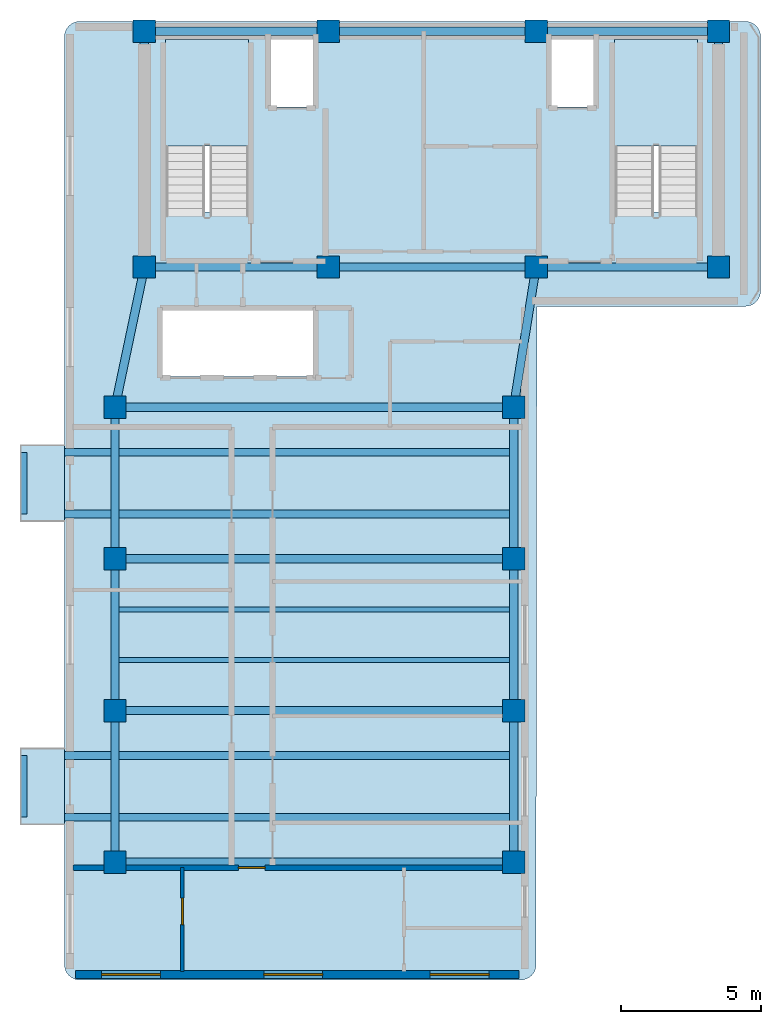
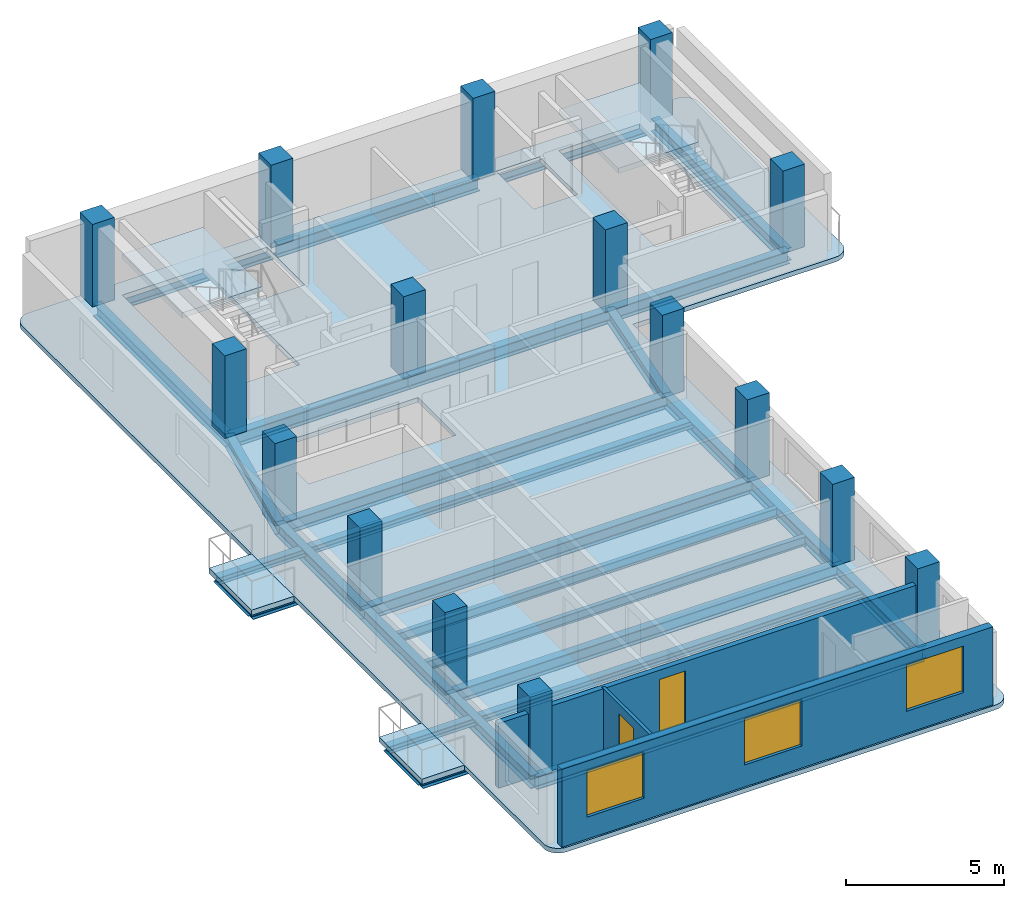
# One storey, part 1 of 6: 28 beams, 16 columns, 5 slabs, 3 walls, 3 windows, 2 doors, 5 openings, 2 elements without a shape of their own.
"""IFC4 building model written with IfcOpenShell, lengths in metres."""

from ifc_helpers import new_model, si_unit, direction, frame, frame_2d, origin, origin_2d, place, context, subcontext, project, spatial, polyline, rectangle, i_section, outline, extrude, material, layer, layer_set, material_profile, profile_set, type_object, element, fill, aggregate, save


model = new_model("IFC4")

# Units and contexts
model_context = context("Model", 3, precision=1e-05, world=origin(), true_north=direction((0.0, 1.0)))
body_context = subcontext(model_context, "Body", "Model", "MODEL_VIEW")
ifc_project = project(units=[si_unit("LENGTHUNIT", "METRE"), si_unit("AREAUNIT", "SQUARE_METRE"), si_unit("VOLUMEUNIT", "CUBIC_METRE"), si_unit("PLANEANGLEUNIT", "RADIAN"), si_unit("MASSUNIT", "GRAM", prefix="KILO")], contexts=[model_context])

# Site, building, storey
site_placement = place(None, origin())
site = spatial("IfcSite", under=ifc_project, at=site_placement, CompositionType="ELEMENT")
building_placement = place(site_placement, origin())
building = spatial("IfcBuilding", under=site, at=building_placement, Name="Kuzgunbayir Cultural Tower", CompositionType="ELEMENT")
storey_placement = place(building_placement, frame((0.0, 0.0, 221.60009765625)))
storey = spatial("IfcBuildingStorey", under=building, at=storey_placement, Name="L65", CompositionType="ELEMENT", Elevation=221.60009765625)

# Columns
ifc_material_1 = material(Name="Concrete C50/60", Category="concrete")
ifc_material_profile_1 = material_profile(ifc_material_1, rectangle(XDim=0.800048828125, YDim=0.800048828125, at=origin_2d()), Name="RC 800x800")
ifc_profile_set_1 = profile_set([ifc_material_profile_1], Name="Concrete C50/60")
column_type_1 = type_object("IfcColumnType", Name="COL-CORE-800", PredefinedType="COLUMN", material=ifc_profile_set_1)
for number, where, z_axis, x_axis, name in (
    (1, (6.449951171875, 33.800048828125, 0.0), (0.0, 0.0, 1.0), (1.0, 0.0, 0.0), "L65 T1 Core Boundary Column CC1-1"),
    (2, (13.0, 33.800048828125, 0.0), (0.0, 0.0, 1.0), (1.0, 0.0, 0.0), "L65 T1 Core Boundary Column CC1-2"),
    (3, (20.39990234375, 33.800048828125, 0.0), (0.0, 0.0, 1.0), (1.0, 0.0, 0.0), "L65 T1 Core Boundary Column CC1-3"),
    (4, (26.89990234375, 33.800048828125, 0.0), (0.0, 0.0, 1.0), (1.0, 0.0, 0.0), "L65 T1 Core Boundary Column CC1-4"),
    (5, (6.449951171875, 42.199951171875, 0.0), (0.0, 0.0, 1.0), (1.0, 0.0, 0.0), "L65 T1 Core Boundary Column CC1-5"),
    (6, (13.0, 42.199951171875, 0.0), (0.0, 0.0, 1.0), (1.0, 0.0, 0.0), "L65 T1 Core Boundary Column CC1-6"),
    (7, (20.39990234375, 42.199951171875, 0.0), (0.0, 0.0, 1.0), (1.0, 0.0, 0.0), "L65 T1 Core Boundary Column CC1-7"),
    (8, (26.89990234375, 42.199951171875, 0.0), (0.0, 0.0, 1.0), (1.0, 0.0, 0.0), "L65 T1 Core Boundary Column CC1-8"),
):
    element("IfcColumn", number, at=place(storey_placement, frame(where, z_axis=z_axis, x_axis=x_axis)), inside=storey, type_object=column_type_1, Name=name, PredefinedType="COLUMN", context=body_context, shape_type="SweptSolid", body=[
        extrude(rectangle(XDim=0.800048828125, YDim=0.800048828125, at=origin_2d()), origin(), (0.0, 0.0, 1.0), 3.199951171875),
    ])
ifc_material_profile_2 = material_profile(ifc_material_1, rectangle(XDim=0.800048828125, YDim=0.800048828125, at=origin_2d()), Name="RC 800x800")
ifc_profile_set_2 = profile_set([ifc_material_profile_2], Name="Concrete C50/60")
column_type_2 = type_object("IfcColumnType", Name="COL-T1-800", PredefinedType="COLUMN", material=ifc_profile_set_2)
for number, where, z_axis, x_axis, name in (
    (9, (5.39990234375, 12.60009765625, 0.0), (0.0, 0.0, 1.0), (1.0, 0.0, 0.0), "L65 Tower 1 Wing A Column T1A-W-1"),
    (10, (19.60009765625, 12.60009765625, 0.0), (0.0, 0.0, 1.0), (1.0, 0.0, 0.0), "L65 Tower 1 Wing A Column T1A-E-1"),
    (11, (5.39990234375, 18.0, 0.0), (0.0, 0.0, 1.0), (1.0, 0.0, 0.0), "L65 Tower 1 Wing A Column T1A-W-2"),
    (12, (19.60009765625, 18.0, 0.0), (0.0, 0.0, 1.0), (1.0, 0.0, 0.0), "L65 Tower 1 Wing A Column T1A-E-2"),
    (13, (5.39990234375, 23.39990234375, 0.0), (0.0, 0.0, 1.0), (1.0, 0.0, 0.0), "L65 Tower 1 Wing A Column T1A-W-3"),
    (14, (19.60009765625, 23.39990234375, 0.0), (0.0, 0.0, 1.0), (1.0, 0.0, 0.0), "L65 Tower 1 Wing A Column T1A-E-3"),
    (15, (5.39990234375, 28.800048828125, 0.0), (0.0, 0.0, 1.0), (1.0, 0.0, 0.0), "L65 Tower 1 Wing A Column T1A-W-4"),
    (16, (19.60009765625, 28.800048828125, 0.0), (0.0, 0.0, 1.0), (1.0, 0.0, 0.0), "L65 Tower 1 Wing A Column T1A-E-4"),
):
    element("IfcColumn", number, at=place(storey_placement, frame(where, z_axis=z_axis, x_axis=x_axis)), inside=storey, type_object=column_type_2, Name=name, PredefinedType="COLUMN", context=body_context, shape_type="SweptSolid", body=[
        extrude(rectangle(XDim=0.800048828125, YDim=0.800048828125, at=origin_2d()), origin(), (0.0, 0.0, 1.0), 3.199951171875),
    ])

# Beams
ifc_material_2 = material(Name="Steel S355J2", Category="steel")
ifc_material_profile_3 = material_profile(ifc_material_2, i_section(OverallWidth=0.280029296875, OverallDepth=0.280029296875, WebThickness=0.010498046875, FlangeThickness=0.01806640625, FilletRadius=0.02392578125, at=origin_2d()), Name="HEB 280")
ifc_profile_set_3 = profile_set([ifc_material_profile_3], Name="Steel S355J2")
beam_type_1 = type_object("IfcBeamType", Name="BM-BAL-HEB280", PredefinedType="BEAM", material=ifc_profile_set_3)
for number, where, z_axis, x_axis, name in (
    (17, (2.159912109375, 14.199951171875, -0.340087890625), (1.0, 0.0, 0.0), (0.0, 1.0, 0.0), "L65 Balcony Outrigger Beam BAL-L65-WA1.1"),
    (18, (2.159912109375, 16.39990234375, -0.340087890625), (1.0, 0.0, 0.0), (0.0, 1.0, 0.0), "L65 Balcony Outrigger Beam BAL-L65-WA1.2"),
    (19, (2.159912109375, 25.0, -0.340087890625), (1.0, 0.0, 0.0), (0.0, 1.0, 0.0), "L65 Balcony Outrigger Beam BAL-L65-WA3.1"),
    (20, (2.159912109375, 27.199951171875, -0.340087890625), (1.0, 0.0, 0.0), (0.0, 1.0, 0.0), "L65 Balcony Outrigger Beam BAL-L65-WA3.2"),
):
    element("IfcBeam", number, at=place(storey_placement, frame(where, z_axis=z_axis, x_axis=x_axis)), inside=storey, type_object=beam_type_1, Name=name, PredefinedType="BEAM", context=body_context, shape_type="SweptSolid", body=[
        extrude(i_section(OverallWidth=0.280029296875, OverallDepth=0.280029296875, WebThickness=0.010498046875, FlangeThickness=0.01806640625, FilletRadius=0.02392578125, at=origin_2d()), origin(), (0.0, 0.0, 1.0), 17.440185546875),
    ])
ifc_material_profile_4 = material_profile(ifc_material_2, i_section(OverallWidth=0.199951171875, OverallDepth=0.199951171875, WebThickness=0.009033203125, FlangeThickness=0.014892578125, FilletRadius=0.01806640625, at=origin_2d()), Name="HEB 200")
ifc_profile_set_4 = profile_set([ifc_material_profile_4], Name="Steel S355J2")
beam_type_2 = type_object("IfcBeamType", Name="BM-CAN-HEB200", PredefinedType="BEAM", material=ifc_profile_set_4)
for number, where, z_axis, x_axis, name in (
    (21, (2.159912109375, 14.199951171875, -0.300048828125), (0.0, 1.0, 0.0), (-1.0, 0.0, 0.0), "L65 Balcony Edge Header BAL-L65-WA1"),
    (22, (2.159912109375, 25.0, -0.300048828125), (0.0, 1.0, 0.0), (-1.0, 0.0, 0.0), "L65 Balcony Edge Header BAL-L65-WA3"),
):
    element("IfcBeam", number, at=place(storey_placement, frame(where, z_axis=z_axis, x_axis=x_axis)), inside=storey, type_object=beam_type_2, Name=name, PredefinedType="BEAM", context=body_context, shape_type="SweptSolid", body=[
        extrude(i_section(OverallWidth=0.199951171875, OverallDepth=0.199951171875, WebThickness=0.009033203125, FlangeThickness=0.014892578125, FilletRadius=0.01806640625, at=origin_2d()), origin(), (0.0, 0.0, 1.0), 2.199951171875),
    ])
ifc_material_profile_5 = material_profile(ifc_material_2, i_section(OverallWidth=0.300048828125, OverallDepth=0.5, WebThickness=0.014404296875, FlangeThickness=0.028076171875, FilletRadius=0.027099609375, at=origin_2d()), Name="HEB 500")
ifc_profile_set_5 = profile_set([ifc_material_profile_5], Name="Steel S355J2")
beam_type_3 = type_object("IfcBeamType", Name="BM-EXT-HEB500", PredefinedType="BEAM", material=ifc_profile_set_5)
for number, where, z_axis, x_axis, name in (
    (23, (5.39990234375, 12.60009765625, -0.43017578125), (0.0, 1.0, 0.0), (-1.0, 0.0, 0.0), "L65 Wing A West Girder 1"),
    (24, (19.60009765625, 12.60009765625, -0.43017578125), (0.0, 1.0, 0.0), (-1.0, 0.0, 0.0), "L65 Wing A East Girder 1"),
    (25, (5.39990234375, 18.0, -0.43017578125), (0.0, 1.0, 0.0), (-1.0, 0.0, 0.0), "L65 Wing A West Girder 2"),
    (26, (19.60009765625, 18.0, -0.43017578125), (0.0, 1.0, 0.0), (-1.0, 0.0, 0.0), "L65 Wing A East Girder 2"),
):
    element("IfcBeam", number, at=place(storey_placement, frame(where, z_axis=z_axis, x_axis=x_axis)), inside=storey, type_object=beam_type_3, Name=name, PredefinedType="BEAM", context=body_context, shape_type="SweptSolid", body=[
        extrude(i_section(OverallWidth=0.300048828125, OverallDepth=0.5, WebThickness=0.014404296875, FlangeThickness=0.028076171875, FilletRadius=0.027099609375, at=origin_2d()), origin(), (0.0, 0.0, 1.0), 5.39990234375),
    ])
for number, where, z_axis, x_axis, name in (
    (27, (5.39990234375, 23.39990234375, -0.43017578125), (0.0, 1.0, 0.0), (-1.0, 0.0, 0.0), "L65 Wing A West Girder 3"),
    (28, (19.60009765625, 23.39990234375, -0.43017578125), (0.0, 1.0, 0.0), (-1.0, 0.0, 0.0), "L65 Wing A East Girder 3"),
):
    element("IfcBeam", number, at=place(storey_placement, frame(where, z_axis=z_axis, x_axis=x_axis)), inside=storey, type_object=beam_type_3, Name=name, PredefinedType="BEAM", context=body_context, shape_type="SweptSolid", body=[
        extrude(i_section(OverallWidth=0.300048828125, OverallDepth=0.5, WebThickness=0.014404296875, FlangeThickness=0.028076171875, FilletRadius=0.027099609375, at=origin_2d()), origin(), (0.0, 0.0, 1.0), 5.400146484375),
    ])
ifc_material_profile_6 = material_profile(ifc_material_2, i_section(OverallWidth=0.300048828125, OverallDepth=0.5, WebThickness=0.014404296875, FlangeThickness=0.028076171875, FilletRadius=0.027099609375, at=origin_2d()), Name="HEB 500")
ifc_profile_set_6 = profile_set([ifc_material_profile_6], Name="Steel S355J2")
beam_type_4 = type_object("IfcBeamType", Name="BM-GIR-HEB500", PredefinedType="BEAM", material=ifc_profile_set_6)
beam_1_placement = place(storey_placement, frame((6.449951171875, 33.800048828125, -0.43017578125), z_axis=(1.0, 0.0, 0.0), x_axis=(0.0, 1.0, 0.0)))
element("IfcBeam", 29, at=beam_1_placement, inside=storey, type_object=beam_type_4, Name="L65 Core South Girder 1", PredefinedType="BEAM", context=body_context, shape_type="SweptSolid", body=[
    extrude(i_section(OverallWidth=0.300048828125, OverallDepth=0.5, WebThickness=0.014404296875, FlangeThickness=0.028076171875, FilletRadius=0.027099609375, at=origin_2d()), origin(), (0.0, 0.0, 1.0), 6.550048828125),
])
beam_2_placement = place(storey_placement, frame((13.0, 33.800048828125, -0.43017578125), z_axis=(1.0, 0.0, 0.0), x_axis=(0.0, 1.0, 0.0)))
element("IfcBeam", 30, at=beam_2_placement, inside=storey, type_object=beam_type_4, Name="L65 Core South Girder 2", PredefinedType="BEAM", context=body_context, shape_type="SweptSolid", body=[
    extrude(i_section(OverallWidth=0.300048828125, OverallDepth=0.5, WebThickness=0.014404296875, FlangeThickness=0.028076171875, FilletRadius=0.027099609375, at=origin_2d()), origin(), (0.0, 0.0, 1.0), 7.39990234375),
])
beam_3_placement = place(storey_placement, frame((20.39990234375, 33.800048828125, -0.43017578125), z_axis=(1.0, 0.0, 0.0), x_axis=(0.0, 1.0, 0.0)))
element("IfcBeam", 31, at=beam_3_placement, inside=storey, type_object=beam_type_4, Name="L65 Core South Girder 3", PredefinedType="BEAM", context=body_context, shape_type="SweptSolid", body=[
    extrude(i_section(OverallWidth=0.300048828125, OverallDepth=0.5, WebThickness=0.014404296875, FlangeThickness=0.028076171875, FilletRadius=0.027099609375, at=origin_2d()), origin(), (0.0, 0.0, 1.0), 6.5),
])
beam_4_placement = place(storey_placement, frame((6.449951171875, 42.199951171875, -0.43017578125), z_axis=(1.0, 0.0, 0.0), x_axis=(0.0, 1.0, 0.0)))
element("IfcBeam", 32, at=beam_4_placement, inside=storey, type_object=beam_type_4, Name="L65 Core North Girder 1", PredefinedType="BEAM", context=body_context, shape_type="SweptSolid", body=[
    extrude(i_section(OverallWidth=0.300048828125, OverallDepth=0.5, WebThickness=0.014404296875, FlangeThickness=0.028076171875, FilletRadius=0.027099609375, at=origin_2d()), origin(), (0.0, 0.0, 1.0), 6.550048828125),
])
beam_5_placement = place(storey_placement, frame((13.0, 42.199951171875, -0.43017578125), z_axis=(1.0, 0.0, 0.0), x_axis=(0.0, 1.0, 0.0)))
element("IfcBeam", 33, at=beam_5_placement, inside=storey, type_object=beam_type_4, Name="L65 Core North Girder 2", PredefinedType="BEAM", context=body_context, shape_type="SweptSolid", body=[
    extrude(i_section(OverallWidth=0.300048828125, OverallDepth=0.5, WebThickness=0.014404296875, FlangeThickness=0.028076171875, FilletRadius=0.027099609375, at=origin_2d()), origin(), (0.0, 0.0, 1.0), 7.39990234375),
])
beam_6_placement = place(storey_placement, frame((20.39990234375, 42.199951171875, -0.43017578125), z_axis=(1.0, 0.0, 0.0), x_axis=(0.0, 1.0, 0.0)))
element("IfcBeam", 34, at=beam_6_placement, inside=storey, type_object=beam_type_4, Name="L65 Core North Girder 3", PredefinedType="BEAM", context=body_context, shape_type="SweptSolid", body=[
    extrude(i_section(OverallWidth=0.300048828125, OverallDepth=0.5, WebThickness=0.014404296875, FlangeThickness=0.028076171875, FilletRadius=0.027099609375, at=origin_2d()), origin(), (0.0, 0.0, 1.0), 6.5),
])
for number, where, z_axis, x_axis, name in (
    (35, (6.449951171875, 33.800048828125, -0.43017578125), (0.0, 1.0, 0.0), (-1.0, 0.0, 0.0), "L65 Core West Edge Girder"),
    (36, (26.89990234375, 33.800048828125, -0.43017578125), (0.0, 1.0, 0.0), (-1.0, 0.0, 0.0), "L65 Core East Edge Girder"),
):
    element("IfcBeam", number, at=place(storey_placement, frame(where, z_axis=z_axis, x_axis=x_axis)), inside=storey, type_object=beam_type_4, Name=name, PredefinedType="BEAM", context=body_context, shape_type="SweptSolid", body=[
        extrude(i_section(OverallWidth=0.300048828125, OverallDepth=0.5, WebThickness=0.014404296875, FlangeThickness=0.028076171875, FilletRadius=0.027099609375, at=origin_2d()), origin(), (0.0, 0.0, 1.0), 8.39990234375),
    ])
for number, where, z_axis, x_axis, name in (
    (37, (5.39990234375, 12.60009765625, -0.43017578125), (1.0, 0.0, 0.0), (0.0, 1.0, 0.0), "L65 Wing A Transverse Girder 1"),
    (38, (5.39990234375, 18.0, -0.43017578125), (1.0, 0.0, 0.0), (0.0, 1.0, 0.0), "L65 Wing A Transverse Girder 2"),
    (39, (5.39990234375, 23.39990234375, -0.43017578125), (1.0, 0.0, 0.0), (0.0, 1.0, 0.0), "L65 Wing A Transverse Girder 3"),
    (40, (5.39990234375, 28.800048828125, -0.43017578125), (1.0, 0.0, 0.0), (0.0, 1.0, 0.0), "L65 Wing A Transverse Girder 4"),
):
    element("IfcBeam", number, at=place(storey_placement, frame(where, z_axis=z_axis, x_axis=x_axis)), inside=storey, type_object=beam_type_4, Name=name, PredefinedType="BEAM", context=body_context, shape_type="SweptSolid", body=[
        extrude(i_section(OverallWidth=0.300048828125, OverallDepth=0.5, WebThickness=0.014404296875, FlangeThickness=0.028076171875, FilletRadius=0.027099609375, at=origin_2d()), origin(), (0.0, 0.0, 1.0), 14.2001953125),
    ])
beam_7_placement = place(storey_placement, frame((5.39990234375, 28.800048828125, -0.43017578125), z_axis=(0.205526387753, 0.978651574329, 0.0), x_axis=(-0.978651574329, 0.205526387753, 0.0)))
element("IfcBeam", 41, at=beam_7_placement, inside=storey, type_object=beam_type_4, Name="L65 Wing A West Core Floor Girder", PredefinedType="BEAM", context=body_context, shape_type="SweptSolid", body=[
    extrude(i_section(OverallWidth=0.300048828125, OverallDepth=0.5, WebThickness=0.014404296875, FlangeThickness=0.028076171875, FilletRadius=0.027099609375, at=origin_2d()), origin(), (0.0, 0.0, 1.0), 5.109130859375),
])
beam_8_placement = place(storey_placement, frame((19.60009765625, 28.800048828125, -0.43017578125), z_axis=(0.157952891656, 0.987446648694, 0.0), x_axis=(-0.987446648694, 0.157952891656, 0.0)))
element("IfcBeam", 42, at=beam_8_placement, inside=storey, type_object=beam_type_4, Name="L65 Wing A East Core Floor Girder", PredefinedType="BEAM", context=body_context, shape_type="SweptSolid", body=[
    extrude(i_section(OverallWidth=0.300048828125, OverallDepth=0.5, WebThickness=0.014404296875, FlangeThickness=0.028076171875, FilletRadius=0.027099609375, at=origin_2d()), origin(), (0.0, 0.0, 1.0), 5.0634765625),
])
ifc_material_profile_7 = material_profile(ifc_material_2, i_section(OverallWidth=0.169921875, OverallDepth=0.360107421875, WebThickness=0.008056640625, FlangeThickness=0.0126953125, FilletRadius=0.01806640625, at=origin_2d()), Name="IPE 360")
ifc_profile_set_7 = profile_set([ifc_material_profile_7], Name="Steel S355J2")
beam_type_5 = type_object("IfcBeamType", Name="BM-JST-IPE360", PredefinedType="JOIST", material=ifc_profile_set_7)
for number, where, z_axis, x_axis, name in (
    (43, (5.550048828125, 19.800048828125, -0.360107421875), (1.0, 0.0, 0.0), (0.0, 1.0, 0.0), "L65 Wing A Secondary Joist 3"),
    (44, (5.550048828125, 21.60009765625, -0.360107421875), (1.0, 0.0, 0.0), (0.0, 1.0, 0.0), "L65 Wing A Secondary Joist 4"),
):
    element("IfcBeam", number, at=place(storey_placement, frame(where, z_axis=z_axis, x_axis=x_axis)), inside=storey, type_object=beam_type_5, Name=name, PredefinedType="JOIST", context=body_context, shape_type="SweptSolid", body=[
        extrude(i_section(OverallWidth=0.169921875, OverallDepth=0.360107421875, WebThickness=0.008056640625, FlangeThickness=0.0126953125, FilletRadius=0.01806640625, at=origin_2d()), origin(), (0.0, 0.0, 1.0), 13.89990234375),
    ])

# Slabs
ifc_material_3 = material(Name="Concrete C40/50", Category="concrete")
ifc_layer_1 = layer(ifc_material_3, 0.199951171875)
ifc_layer_set_1 = layer_set([ifc_layer_1], Name="Concrete C40/50")
slab_type_1 = type_object("IfcSlabType", Name="SLB-BAL-STONE", PredefinedType="FLOOR", material=ifc_layer_set_1)
slab_1_placement = place(storey_placement, frame((0.0, 0.0, -0.2001953125)))
element("IfcSlab", 45, at=slab_1_placement, inside=storey, type_object=slab_type_1, Name="L65 Projecting Limestone Balcony BAL-L65-WA1", PredefinedType="FLOOR", context=body_context, shape_type="SweptSolid", body=[
    extrude(outline(polyline([(2.0400390625, 13.949951171875), (3.60009765625, 13.949951171875), (3.60009765625, 16.64990234375), (2.0400390625, 16.64990234375), (2.0400390625, 13.949951171875)])), origin(), (0.0, 0.0, 1.0), 0.2001953125),
])
slab_2_placement = place(storey_placement, frame((0.0, 0.0, -0.2001953125)))
element("IfcSlab", 46, at=slab_2_placement, inside=storey, type_object=slab_type_1, Name="L65 Projecting Limestone Balcony BAL-L65-WA3", PredefinedType="FLOOR", context=body_context, shape_type="SweptSolid", body=[
    extrude(outline(polyline([(2.0400390625, 24.75), (3.60009765625, 24.75), (3.60009765625, 27.449951171875), (2.0400390625, 27.449951171875), (2.0400390625, 24.75)])), origin(), (0.0, 0.0, 1.0), 0.2001953125),
])

# Stair, slab
stair_type = type_object("IfcStairType", Name="STR-EXIT-CORE", PredefinedType="HALF_TURN_STAIR", material=ifc_material_3)
stair_1_placement = place(storey_placement, origin())
stair_1 = element("IfcStair", 47, at=stair_1_placement, inside=storey, type_object=stair_type, Name="L65 ST-1", PredefinedType="HALF_TURN_STAIR")
ifc_layer_2 = layer(ifc_material_3, 0.179931640625)
ifc_layer_set_2 = layer_set([ifc_layer_2], Name="Concrete C40/50")
slab_type_2 = type_object("IfcSlabType", Name="SLB-LANDING-180", PredefinedType="LANDING", material=ifc_layer_set_2)
slab_3_placement = place(storey_placement, frame((0.0, 0.0, 1.39990234375)))
slab_3 = element("IfcSlab", 48, at=slab_3_placement, type_object=slab_type_2, Name="ST-1 landing 1", PredefinedType="LANDING", context=body_context, shape_type="SweptSolid", body=[
    extrude(outline(polyline([(10.159912109375, 38.1201171875), (10.159912109375, 41.89990234375), (7.199951171875, 41.89990234375), (7.199951171875, 38.1201171875), (10.159912109375, 38.1201171875)])), origin(), (0.0, 0.0, 1.0), 0.199951171875),
])
aggregate(stair_1, [slab_3])

stair_2_placement = place(storey_placement, origin())
stair_2 = element("IfcStair", 49, at=stair_2_placement, inside=storey, type_object=stair_type, Name="L65 ST-2", PredefinedType="HALF_TURN_STAIR")
slab_4_placement = place(storey_placement, frame((0.0, 0.0, 1.39990234375)))
slab_4 = element("IfcSlab", 50, at=slab_4_placement, type_object=slab_type_2, Name="ST-2 landing 1", PredefinedType="LANDING", context=body_context, shape_type="SweptSolid", body=[
    extrude(outline(polyline([(26.159912109375, 38.1201171875), (26.159912109375, 41.89990234375), (23.199951171875, 41.89990234375), (23.199951171875, 38.1201171875), (26.159912109375, 38.1201171875)])), origin(), (0.0, 0.0, 1.0), 0.199951171875),
])
aggregate(stair_2, [slab_4])

# Slab
ifc_layer_3 = layer(ifc_material_3, 0.179931640625)
ifc_layer_set_3 = layer_set([ifc_layer_3], Name="Concrete C40/50")
slab_type_3 = type_object("IfcSlabType", Name="SLB-TYP-180", PredefinedType="FLOOR", material=ifc_layer_set_3)
slab_5_placement = place(storey_placement, frame((0.0, 0.0, -0.18017578125)))
element("IfcSlab", 51, at=slab_5_placement, inside=storey, type_object=slab_type_3, Name="L65 Tower 1 Floor Slab T1-MAIN", PredefinedType="FLOOR", context=body_context, shape_type="SweptSolid", body=[
    extrude(outline(polyline([(20.39990234375, 8.949951171875), (20.389892578125, 8.840087890625), (20.360107421875, 8.739990234375), (20.31005859375, 8.639892578125), (20.239990234375, 8.56005859375), (20.159912109375, 8.489990234375), (20.06005859375, 8.43994140625), (19.9599609375, 8.409912109375), (19.85009765625, 8.39990234375), (4.14990234375, 8.39990234375), (4.0400390625, 8.409912109375), (3.93994140625, 8.43994140625), (3.840087890625, 8.489990234375), (3.760009765625, 8.56005859375), (3.68994140625, 8.639892578125), (3.639892578125, 8.739990234375), (3.610107421875, 8.840087890625), (3.60009765625, 8.949951171875), (3.60009765625, 42.0), (3.610107421875, 42.110107421875), (3.639892578125, 42.2099609375), (3.68994140625, 42.31005859375), (3.760009765625, 42.389892578125), (3.840087890625, 42.4599609375), (3.93994140625, 42.510009765625), (4.0400390625, 42.5400390625), (4.14990234375, 42.550048828125), (27.85009765625, 42.550048828125), (27.9599609375, 42.5400390625), (28.06005859375, 42.510009765625), (28.159912109375, 42.4599609375), (28.239990234375, 42.389892578125), (28.31005859375, 42.31005859375), (28.360107421875, 42.2099609375), (28.389892578125, 42.110107421875), (28.39990234375, 42.0), (28.39990234375, 32.949951171875), (28.389892578125, 32.840087890625), (28.360107421875, 32.739990234375), (28.31005859375, 32.639892578125), (28.239990234375, 32.56005859375), (28.159912109375, 32.489990234375), (28.06005859375, 32.43994140625), (27.9599609375, 32.409912109375), (27.85009765625, 32.39990234375), (20.429931640625, 32.39990234375), (20.39990234375, 8.949951171875)]), holes=[polyline([(7.199951171875, 35.760009765625), (7.199951171875, 41.89990234375), (10.159912109375, 41.89990234375), (10.159912109375, 35.760009765625), (7.199951171875, 35.760009765625)]), polyline([(23.199951171875, 35.760009765625), (23.199951171875, 41.89990234375), (26.159912109375, 41.89990234375), (26.159912109375, 35.760009765625), (23.199951171875, 35.760009765625)]), polyline([(7.10009765625, 29.89990234375), (7.10009765625, 32.300048828125), (12.5, 32.300048828125), (12.5, 29.89990234375), (7.10009765625, 29.89990234375)]), polyline([(10.89990234375, 39.5), (10.89990234375, 41.89990234375), (12.5, 41.89990234375), (12.5, 39.5), (10.89990234375, 39.5)]), polyline([(20.89990234375, 39.5), (20.89990234375, 41.89990234375), (22.5, 41.89990234375), (22.5, 39.5), (20.89990234375, 39.5)])]), origin(), (0.0, 0.0, 1.0), 0.18017578125),
])

# Wall, openings, windows
ifc_material_4 = material(Name="Anatolian Cream Limestone", Category="masonry")
ifc_layer_4 = layer(ifc_material_4, 0.280029296875)
ifc_layer_set_4 = layer_set([ifc_layer_4], Name="Anatolian Cream Limestone")
wall_type_1 = type_object("IfcWallType", Name="WAL-EXT-STONE-280", PredefinedType="STANDARD", material=ifc_layer_set_4)
wall_1_placement = place(storey_placement, frame((4.0, 8.60009765625, 0.0), z_axis=(0.0, 0.0, 1.0), x_axis=(1.0, 0.0, 0.0)))
wall_1 = element("IfcWall", 52, at=wall_1_placement, inside=storey, type_object=wall_type_1, Name="L65 Wing A South Limestone Wall", PredefinedType="STANDARD", context=body_context, shape_type="SweptSolid", body=[
    extrude(rectangle(XDim=15.800048828125, YDim=0.280029296875, at=frame_2d((7.89990234375, 0.0))), origin(), (0.0, 0.0, 1.0), 3.02001953125),
])
opening_1_placement = place(wall_1_placement, frame((0.919921875, 0.0, 0.85009765625)))
opening_1 = element("IfcOpeningElement", 53, at=opening_1_placement, cuts=wall_1, Name="Opening WR-21", PredefinedType="OPENING", context=body_context, shape_type="SweptSolid", body=[
    extrude(rectangle(XDim=2.10009765625, YDim=1.800048828125, at=frame_2d((1.050048828125, 0.89990234375))), frame((0.0, 0.14990234375, 0.0), z_axis=(0.0, -1.0, 0.0), x_axis=(1.0, 0.0, 0.0)), (0.0, 0.0, 1.0), 0.300048828125),
])
opening_2_placement = place(wall_1_placement, frame((6.699951171875, 0.0, 0.85009765625)))
opening_2 = element("IfcOpeningElement", 54, at=opening_2_placement, cuts=wall_1, Name="Opening WR-21", PredefinedType="OPENING", context=body_context, shape_type="SweptSolid", body=[
    extrude(rectangle(XDim=2.10009765625, YDim=1.800048828125, at=frame_2d((1.050048828125, 0.89990234375))), frame((0.0, 0.14990234375, 0.0), z_axis=(0.0, -1.0, 0.0), x_axis=(1.0, 0.0, 0.0)), (0.0, 0.0, 1.0), 0.300048828125),
])
opening_3_placement = place(wall_1_placement, frame((12.6298828125, 0.0, 0.85009765625)))
opening_3 = element("IfcOpeningElement", 55, at=opening_3_placement, cuts=wall_1, Name="Opening WR-21", PredefinedType="OPENING", context=body_context, shape_type="SweptSolid", body=[
    extrude(rectangle(XDim=2.10009765625, YDim=1.800048828125, at=frame_2d((1.050048828125, 0.89990234375))), frame((0.0, 0.14990234375, 0.0), z_axis=(0.0, -1.0, 0.0), x_axis=(1.0, 0.0, 0.0)), (0.0, 0.0, 1.0), 0.300048828125),
])
ifc_material_5 = material(Name="Solar-Control Triple Glazing", Category="glass")
window_type = type_object("IfcWindowType", Name="WIN-RESID-21", PartitioningType="SINGLE_PANEL", PredefinedType="WINDOW", material=ifc_material_5)
window_1_placement = place(opening_1_placement, origin())
window_1 = element("IfcWindow", 56, at=window_1_placement, inside=storey, type_object=window_type, Name="L65 WAS Facade Window 1", OverallHeight=1.800048828125, OverallWidth=2.10009765625, PartitioningType="SINGLE_PANEL", PredefinedType="WINDOW", context=body_context, shape_type="SweptSolid", body=[
    extrude(rectangle(XDim=2.10009765625, YDim=1.800048828125, at=frame_2d((1.050048828125, 0.89990234375))), frame((0.0, 0.030029296875, 0.0), z_axis=(0.0, -1.0, 0.0), x_axis=(1.0, 0.0, 0.0)), (0.0, 0.0, 1.0), 0.06005859375),
])
fill(opening_1, window_1)
window_2_placement = place(opening_2_placement, origin())
window_2 = element("IfcWindow", 57, at=window_2_placement, inside=storey, type_object=window_type, Name="L65 WAS Facade Window 2", OverallHeight=1.800048828125, OverallWidth=2.10009765625, PartitioningType="SINGLE_PANEL", PredefinedType="WINDOW", context=body_context, shape_type="SweptSolid", body=[
    extrude(rectangle(XDim=2.10009765625, YDim=1.800048828125, at=frame_2d((1.050048828125, 0.89990234375))), frame((0.0, 0.030029296875, 0.0), z_axis=(0.0, -1.0, 0.0), x_axis=(1.0, 0.0, 0.0)), (0.0, 0.0, 1.0), 0.06005859375),
])
fill(opening_2, window_2)
window_3_placement = place(opening_3_placement, origin())
window_3 = element("IfcWindow", 58, at=window_3_placement, inside=storey, type_object=window_type, Name="L65 WAS Facade Window 3", OverallHeight=1.800048828125, OverallWidth=2.10009765625, PartitioningType="SINGLE_PANEL", PredefinedType="WINDOW", context=body_context, shape_type="SweptSolid", body=[
    extrude(rectangle(XDim=2.10009765625, YDim=1.800048828125, at=frame_2d((1.050048828125, 0.89990234375))), frame((0.0, 0.030029296875, 0.0), z_axis=(0.0, -1.0, 0.0), x_axis=(1.0, 0.0, 0.0)), (0.0, 0.0, 1.0), 0.06005859375),
])
fill(opening_3, window_3)

# Wall, opening, door
ifc_material_6 = material(Name="Aerated Concrete Blockwork", Category="masonry")
ifc_layer_5 = layer(ifc_material_6, 0.199951171875)
ifc_layer_set_5 = layer_set([ifc_layer_5], Name="Aerated Concrete Blockwork")
wall_type_2 = type_object("IfcWallType", Name="WAL-PART-FIRE-200", PredefinedType="PARTITIONING", material=ifc_layer_set_5)
wall_2_placement = place(storey_placement, frame((3.89990234375, 12.39990234375, 0.0), z_axis=(0.0, 0.0, 1.0), x_axis=(1.0, 0.0, 0.0)))
wall_2 = element("IfcWall", 59, at=wall_2_placement, inside=storey, type_object=wall_type_2, Name="L65 South Cross Partition", PredefinedType="PARTITIONING", context=body_context, shape_type="SweptSolid", body=[
    extrude(rectangle(XDim=16.0, YDim=0.199951171875, at=frame_2d((8.0, 0.0))), origin(), (0.0, 0.0, 1.0), 2.510009765625),
])
opening_4_placement = place(wall_2_placement, frame((5.89990234375, 0.0, 0.0)))
opening_4 = element("IfcOpeningElement", 60, at=opening_4_placement, cuts=wall_2, Name="Opening DR-APT-60", PredefinedType="OPENING", context=body_context, shape_type="SweptSolid", body=[
    extrude(rectangle(XDim=0.949951171875, YDim=2.14990234375, at=frame_2d((0.47509765625, 1.074951171875))), frame((0.0, 0.10986328125, 0.0), z_axis=(0.0, -1.0, 0.0), x_axis=(1.0, 0.0, 0.0)), (0.0, 0.0, 1.0), 0.219970703125),
])
ifc_material_7 = material(Name="Acoustic Fire Timber Leaf", Category="wood")
door_type_1 = type_object("IfcDoorType", Name="DR-APT-60", OperationType="NOTDEFINED", PredefinedType="DOOR", material=ifc_material_7)
door_1_placement = place(opening_4_placement, origin())
door_1 = element("IfcDoor", 61, at=door_1_placement, inside=storey, type_object=door_type_1, Name="L65 Apartment A Entrance", OperationType="SINGLE_SWING_LEFT", OverallHeight=2.14990234375, OverallWidth=0.949951171875, PredefinedType="DOOR", context=body_context, shape_type="SweptSolid", body=[
    extrude(rectangle(XDim=0.949951171875, YDim=2.14990234375, at=frame_2d((0.47509765625, 1.074951171875))), frame((0.0, 0.02490234375, 0.0), z_axis=(0.0, -1.0, 0.0), x_axis=(1.0, 0.0, 0.0)), (0.0, 0.0, 1.0), 0.050048828125),
])
fill(opening_4, door_1)

ifc_material_8 = material(Name="Framed Gypsum Partition", Category="gypsum")
ifc_layer_6 = layer(ifc_material_8, 0.1201171875)
ifc_layer_set_6 = layer_set([ifc_layer_6], Name="Framed Gypsum Partition")
wall_type_3 = type_object("IfcWallType", Name="WAL-PART-INT-120", PredefinedType="PARTITIONING", material=ifc_layer_set_6)
wall_3_placement = place(storey_placement, frame((7.800048828125, 8.699951171875, 0.0), z_axis=(0.0, 0.0, 1.0), x_axis=(0.0, 1.0, 0.0)))
wall_3 = element("IfcWall", 62, at=wall_3_placement, inside=storey, type_object=wall_type_3, Name="L65 Flat A West Bedroom Wall", PredefinedType="PARTITIONING", context=body_context, shape_type="SweptSolid", body=[
    extrude(rectangle(XDim=3.699951171875, YDim=0.1201171875, at=frame_2d((1.85009765625, 0.0))), origin(), (0.0, 0.0, 1.0), 2.510009765625),
])
opening_5_placement = place(wall_3_placement, frame((1.669921875, 0.0, 0.0)))
opening_5 = element("IfcOpeningElement", 63, at=opening_5_placement, cuts=wall_3, Name="Opening DI-90", PredefinedType="OPENING", context=body_context, shape_type="SweptSolid", body=[
    extrude(rectangle(XDim=0.949951171875, YDim=2.14990234375, at=frame_2d((0.47509765625, 1.074951171875))), frame((0.0, 0.070068359375, 0.0), z_axis=(0.0, -1.0, 0.0), x_axis=(1.0, 0.0, 0.0)), (0.0, 0.0, 1.0), 0.14013671875),
])
ifc_material_9 = material(Name="Veneered Oak Single Leaf", Category="wood")
door_type_2 = type_object("IfcDoorType", Name="DR-INT-90", OperationType="NOTDEFINED", PredefinedType="DOOR", material=ifc_material_9)
door_2_placement = place(opening_5_placement, origin())
door_2 = element("IfcDoor", 64, at=door_2_placement, inside=storey, type_object=door_type_2, Name="L65 Apartment A Bedroom Door", OperationType="SINGLE_SWING_RIGHT", OverallHeight=2.14990234375, OverallWidth=0.949951171875, PredefinedType="DOOR", context=body_context, shape_type="SweptSolid", body=[
    extrude(rectangle(XDim=0.949951171875, YDim=2.14990234375, at=frame_2d((0.47509765625, 1.074951171875))), frame((0.0, 0.02490234375, 0.0), z_axis=(0.0, -1.0, 0.0), x_axis=(1.0, 0.0, 0.0)), (0.0, 0.0, 1.0), 0.050048828125),
])
fill(opening_5, door_2)

save(model, "model.ifc")
